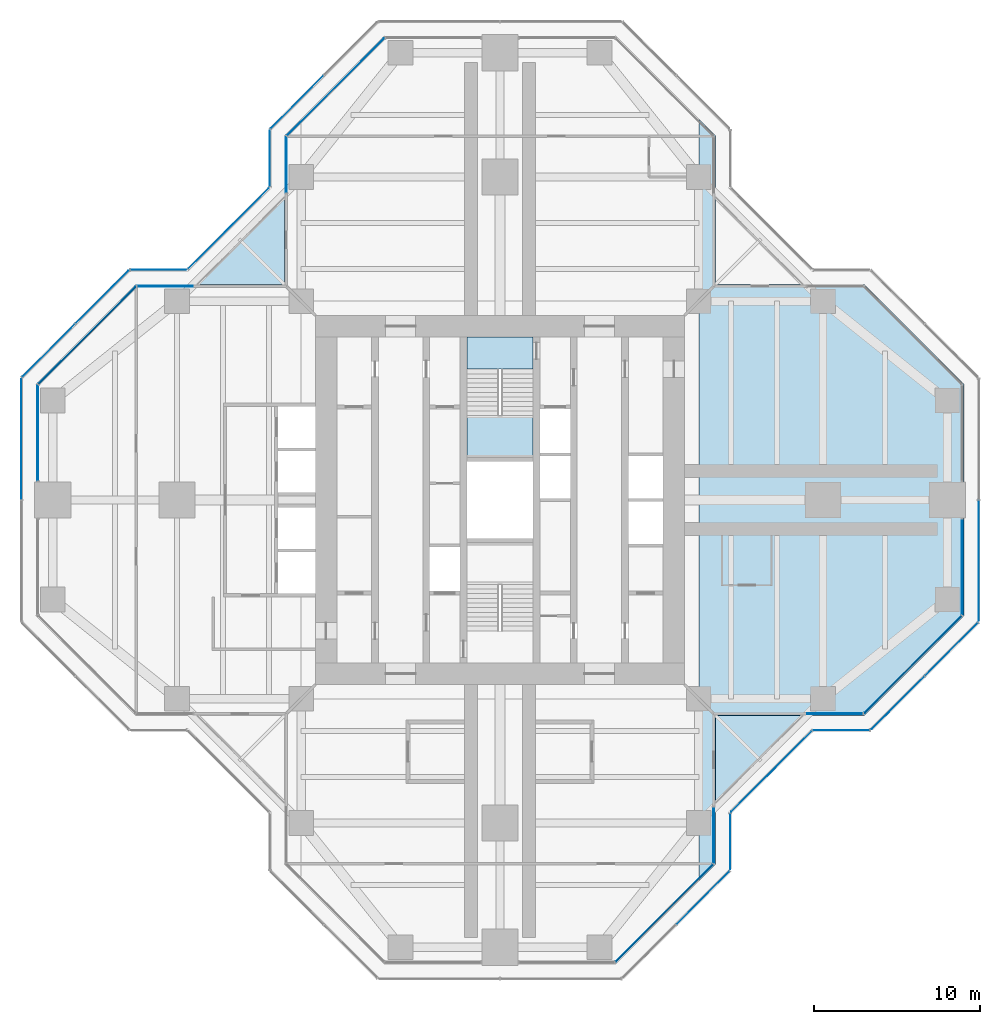
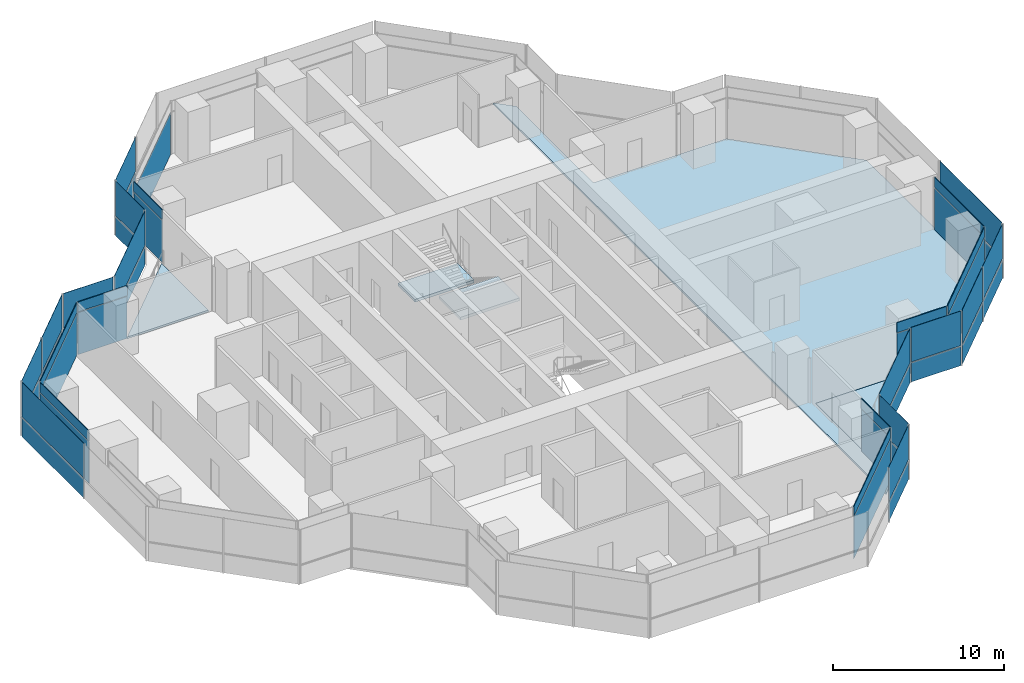
# One storey, part 11 of 17: 47 plates, 5 slabs, 23 elements without a shape of their own.
"""IFC4 building model written with IfcOpenShell, lengths in metres."""

from ifc_helpers import new_model, si_unit, direction, frame, origin, origin_2d, place, context, subcontext, project, spatial, polyline, rectangle, outline, extrude, material, layer, layer_set, type_object, element, aggregate, save


model = new_model("IFC4")

# Units and contexts
model_context = context("Model", 3, precision=1e-05, world=origin(), true_north=direction((0.0, 1.0)))
body_context = subcontext(model_context, "Body", "Model", "MODEL_VIEW")
ifc_project = project(units=[si_unit("LENGTHUNIT", "METRE"), si_unit("AREAUNIT", "SQUARE_METRE"), si_unit("VOLUMEUNIT", "CUBIC_METRE"), si_unit("PLANEANGLEUNIT", "RADIAN"), si_unit("MASSUNIT", "GRAM", prefix="KILO")], contexts=[model_context])

# Site, building, storey
site_placement = place(None, origin())
site = spatial("IfcSite", under=ifc_project, at=site_placement, CompositionType="ELEMENT")
building_placement = place(site_placement, origin())
building = spatial("IfcBuilding", under=site, at=building_placement, Name="Mizan Broadcast Tower", CompositionType="ELEMENT")
storey_placement = place(building_placement, frame((0.0, 0.0, 224.39990234375)))
storey = spatial("IfcBuildingStorey", under=building, at=storey_placement, Name="L52", CompositionType="ELEMENT", Elevation=224.39990234375)

# Slab
ifc_material_1 = material(Name="Concrete C32/40", Category="concrete")
ifc_layer_1 = layer(ifc_material_1, 0.1298828125)
ifc_layer_set_1 = layer_set([ifc_layer_1], Name="Concrete C32/40")
slab_type_1 = type_object("IfcSlabType", Name="COMPOSITE DECK SLAB 130", PredefinedType="FLOOR", material=ifc_layer_set_1)
slab_1_placement = place(storey_placement, frame((0.0, 0.0, -0.1298828125)))
element("IfcSlab", 1, at=slab_1_placement, inside=storey, type_object=slab_type_1, Name="Floor slab L52 east arm", PredefinedType="FLOOR", context=body_context, shape_type="SweptSolid", body=[
    extrude(outline(polyline([(13.0, 22.0), (12.0, 23.0), (12.0, -23.0), (13.0, -22.0), (13.0, -13.0), (22.0, -13.0), (28.0, -7.0), (28.0, 7.0), (22.0, 13.0), (13.0, 13.0), (13.0, 22.0)])), origin(), (0.0, 0.0, 1.0), 0.1298828125),
])

# Curtain wall, plate
ifc_material_2 = material(Name="Aluminium framed glazing", Category="aluminium")
curtain_wall_type_1 = type_object("IfcCurtainWallType", Name="INNER SKIN HIGH ZONE", PredefinedType="USERDEFINED", material=ifc_material_2)
curtain_wall_1_placement = place(storey_placement, origin())
curtain_wall_1 = element("IfcCurtainWall", 2, at=curtain_wall_1_placement, inside=storey, type_object=curtain_wall_type_1, Name="Inner skin high zone L52 E side", ObjectType="INNER SKIN HIGH ZONE", PredefinedType="USERDEFINED")
ifc_material_3 = material(Name="Double glazing, clear low-e", Category="glass")
ifc_layer_2 = layer(ifc_material_3, 0.028076171875)
ifc_layer_set_2 = layer_set([ifc_layer_2], Name="Double glazing, clear low-e")
plate_type_1 = type_object("IfcPlateType", Name="INNER SKIN GLAZING UNIT", PredefinedType="CURTAIN_PANEL", material=ifc_layer_set_2)
plate_1_placement = place(storey_placement, frame((20.229248046875, -12.89990234375, 0.0), z_axis=(0.0, 0.0, 1.0), x_axis=(1.0, 0.0, 0.0)))
plate_1 = element("IfcPlate", 3, at=plate_1_placement, type_object=plate_type_1, Name="Inner skin high zone L52 E side panel 1.1", PredefinedType="CURTAIN_PANEL", context=body_context, shape_type="SweptSolid", body=[
    extrude(rectangle(XDim=3.338623046875, YDim=0.028076171875, at=origin_2d()), origin(), (0.0, 0.0, 1.0), 3.0),
])

curtain_wall_2_placement = place(storey_placement, origin())
curtain_wall_2 = element("IfcCurtainWall", 4, at=curtain_wall_2_placement, inside=storey, type_object=curtain_wall_type_1, Name="Inner skin high zone L52 E chamfer", ObjectType="INNER SKIN HIGH ZONE", PredefinedType="USERDEFINED")
plate_2_placement = place(storey_placement, frame((24.92919921875, -9.92919921875, 0.0), z_axis=(0.0, 0.0, 1.0), x_axis=(0.707106781187, 0.707106781187, 0.0)))
plate_2 = element("IfcPlate", 5, at=plate_2_placement, type_object=plate_type_1, Name="Inner skin high zone L52 E chamfer panel 1.1", PredefinedType="CURTAIN_PANEL", context=body_context, shape_type="SweptSolid", body=[
    extrude(rectangle(XDim=8.282470703125, YDim=0.028076171875, at=origin_2d()), origin(), (0.0, 0.0, 1.0), 3.0),
])

curtain_wall_3_placement = place(storey_placement, origin())
curtain_wall_3 = element("IfcCurtainWall", 6, at=curtain_wall_3_placement, inside=storey, type_object=curtain_wall_type_1, Name="Inner skin high zone L52 E end", ObjectType="INNER SKIN HIGH ZONE", PredefinedType="USERDEFINED")
plate_3_placement = place(storey_placement, frame((27.89990234375, -4.029296875, 0.0), z_axis=(0.0, 0.0, 1.0), x_axis=(0.0, 1.0, 0.0)))
plate_3 = element("IfcPlate", 7, at=plate_3_placement, type_object=plate_type_1, Name="Inner skin high zone L52 E end panel 1.1", PredefinedType="CURTAIN_PANEL", context=body_context, shape_type="SweptSolid", body=[
    extrude(rectangle(XDim=5.738525390625, YDim=0.028076171875, at=origin_2d()), origin(), (0.0, 0.0, 1.0), 3.0),
])

curtain_wall_4_placement = place(storey_placement, origin())
curtain_wall_4 = element("IfcCurtainWall", 8, at=curtain_wall_4_placement, inside=storey, type_object=curtain_wall_type_1, Name="Inner skin high zone L52 N chamfer", ObjectType="INNER SKIN HIGH ZONE", PredefinedType="USERDEFINED")
plate_4_placement = place(storey_placement, frame((-9.92919921875, 24.92919921875, 0.0), z_axis=(0.0, 0.0, 1.0), x_axis=(-0.707106781187, -0.707106781187, 0.0)))
plate_4 = element("IfcPlate", 9, at=plate_4_placement, type_object=plate_type_1, Name="Inner skin high zone L52 N chamfer panel 1.1", PredefinedType="CURTAIN_PANEL", context=body_context, shape_type="SweptSolid", body=[
    extrude(rectangle(XDim=8.282470703125, YDim=0.028076171875, at=origin_2d()), origin(), (0.0, 0.0, 1.0), 3.0),
])
aggregate(curtain_wall_4, [plate_4])

curtain_wall_5_placement = place(storey_placement, origin())
curtain_wall_5 = element("IfcCurtainWall", 10, at=curtain_wall_5_placement, inside=storey, type_object=curtain_wall_type_1, Name="Inner skin high zone L52 N side", ObjectType="INNER SKIN HIGH ZONE", PredefinedType="USERDEFINED")
plate_5_placement = place(storey_placement, frame((-12.89990234375, 20.229248046875, 0.0), z_axis=(0.0, 0.0, 1.0), x_axis=(0.0, -1.0, 0.0)))
plate_5 = element("IfcPlate", 11, at=plate_5_placement, type_object=plate_type_1, Name="Inner skin high zone L52 N side panel 1.1", PredefinedType="CURTAIN_PANEL", context=body_context, shape_type="SweptSolid", body=[
    extrude(rectangle(XDim=3.338623046875, YDim=0.028076171875, at=origin_2d()), origin(), (0.0, 0.0, 1.0), 3.0),
])

curtain_wall_6_placement = place(storey_placement, origin())
curtain_wall_6 = element("IfcCurtainWall", 12, at=curtain_wall_6_placement, inside=storey, type_object=curtain_wall_type_1, Name="Inner skin high zone L52 W side", ObjectType="INNER SKIN HIGH ZONE", PredefinedType="USERDEFINED")
plate_6_placement = place(storey_placement, frame((-20.229248046875, 12.89990234375, 0.0), z_axis=(0.0, 0.0, 1.0), x_axis=(-1.0, 0.0, 0.0)))
plate_6 = element("IfcPlate", 13, at=plate_6_placement, type_object=plate_type_1, Name="Inner skin high zone L52 W side panel 1.1", PredefinedType="CURTAIN_PANEL", context=body_context, shape_type="SweptSolid", body=[
    extrude(rectangle(XDim=3.338623046875, YDim=0.028076171875, at=origin_2d()), origin(), (0.0, 0.0, 1.0), 3.0),
])

curtain_wall_7_placement = place(storey_placement, origin())
curtain_wall_7 = element("IfcCurtainWall", 14, at=curtain_wall_7_placement, inside=storey, type_object=curtain_wall_type_1, Name="Inner skin high zone L52 W chamfer", ObjectType="INNER SKIN HIGH ZONE", PredefinedType="USERDEFINED")
plate_7_placement = place(storey_placement, frame((-24.92919921875, 9.92919921875, 0.0), z_axis=(0.0, 0.0, 1.0), x_axis=(-0.707106781187, -0.707106781187, 0.0)))
plate_7 = element("IfcPlate", 15, at=plate_7_placement, type_object=plate_type_1, Name="Inner skin high zone L52 W chamfer panel 1.1", PredefinedType="CURTAIN_PANEL", context=body_context, shape_type="SweptSolid", body=[
    extrude(rectangle(XDim=8.282470703125, YDim=0.028076171875, at=origin_2d()), origin(), (0.0, 0.0, 1.0), 3.0),
])

curtain_wall_8_placement = place(storey_placement, origin())
curtain_wall_8 = element("IfcCurtainWall", 16, at=curtain_wall_8_placement, inside=storey, type_object=curtain_wall_type_1, Name="Inner skin high zone L52 W end", ObjectType="INNER SKIN HIGH ZONE", PredefinedType="USERDEFINED")
plate_8_placement = place(storey_placement, frame((-27.89990234375, 4.029296875, 0.0), z_axis=(0.0, 0.0, 1.0), x_axis=(0.0, -1.0, 0.0)))
plate_8 = element("IfcPlate", 17, at=plate_8_placement, type_object=plate_type_1, Name="Inner skin high zone L52 W end panel 1.1", PredefinedType="CURTAIN_PANEL", context=body_context, shape_type="SweptSolid", body=[
    extrude(rectangle(XDim=5.738525390625, YDim=0.028076171875, at=origin_2d()), origin(), (0.0, 0.0, 1.0), 3.0),
])

curtain_wall_9_placement = place(storey_placement, origin())
curtain_wall_9 = element("IfcCurtainWall", 18, at=curtain_wall_9_placement, inside=storey, type_object=curtain_wall_type_1, Name="Inner skin high zone L52 S chamfer", ObjectType="INNER SKIN HIGH ZONE", PredefinedType="USERDEFINED")
plate_9_placement = place(storey_placement, frame((9.92919921875, -24.92919921875, 0.0), z_axis=(0.0, 0.0, 1.0), x_axis=(0.707106781187, 0.707106781187, 0.0)))
plate_9 = element("IfcPlate", 19, at=plate_9_placement, type_object=plate_type_1, Name="Inner skin high zone L52 S chamfer panel 1.1", PredefinedType="CURTAIN_PANEL", context=body_context, shape_type="SweptSolid", body=[
    extrude(rectangle(XDim=8.282470703125, YDim=0.028076171875, at=origin_2d()), origin(), (0.0, 0.0, 1.0), 3.0),
])

curtain_wall_10_placement = place(storey_placement, origin())
curtain_wall_10 = element("IfcCurtainWall", 20, at=curtain_wall_10_placement, inside=storey, type_object=curtain_wall_type_1, Name="Inner skin high zone L52 S side", ObjectType="INNER SKIN HIGH ZONE", PredefinedType="USERDEFINED")
plate_10_placement = place(storey_placement, frame((12.89990234375, -20.229248046875, 0.0), z_axis=(0.0, 0.0, 1.0), x_axis=(0.0, 1.0, 0.0)))
plate_10 = element("IfcPlate", 21, at=plate_10_placement, type_object=plate_type_1, Name="Inner skin high zone L52 S side panel 1.1", PredefinedType="CURTAIN_PANEL", context=body_context, shape_type="SweptSolid", body=[
    extrude(rectangle(XDim=3.338623046875, YDim=0.028076171875, at=origin_2d()), origin(), (0.0, 0.0, 1.0), 3.0),
])

# Plate
ifc_material_4 = material(Name="Insulated aluminium spandrel panel, pale anodised", Category="aluminium")
ifc_layer_3 = layer(ifc_material_4, 0.050048828125)
ifc_layer_set_3 = layer_set([ifc_layer_3], Name="Insulated aluminium spandrel panel, pale anodised")
plate_type_2 = type_object("IfcPlateType", Name="INNER SKIN SPANDREL PANEL", PredefinedType="CURTAIN_PANEL", material=ifc_layer_set_3)
plate_11_placement = place(storey_placement, frame((20.229248046875, -12.89990234375, 3.06005859375), z_axis=(0.0, 0.0, 1.0), x_axis=(1.0, 0.0, 0.0)))
plate_11 = element("IfcPlate", 22, at=plate_11_placement, type_object=plate_type_2, Name="Inner skin high zone L52 E side panel 1.2", PredefinedType="CURTAIN_PANEL", context=body_context, shape_type="SweptSolid", body=[
    extrude(rectangle(XDim=3.338623046875, YDim=0.050048828125, at=origin_2d()), origin(), (0.0, 0.0, 1.0), 0.7099609375),
])

aggregate(curtain_wall_1, [plate_1, plate_11])

plate_12_placement = place(storey_placement, frame((24.92919921875, -9.92919921875, 3.06005859375), z_axis=(0.0, 0.0, 1.0), x_axis=(0.707106781187, 0.707106781187, 0.0)))
plate_12 = element("IfcPlate", 23, at=plate_12_placement, type_object=plate_type_2, Name="Inner skin high zone L52 E chamfer panel 1.2", PredefinedType="CURTAIN_PANEL", context=body_context, shape_type="SweptSolid", body=[
    extrude(rectangle(XDim=8.282470703125, YDim=0.050048828125, at=origin_2d()), origin(), (0.0, 0.0, 1.0), 0.7099609375),
])

aggregate(curtain_wall_2, [plate_2, plate_12])

plate_13_placement = place(storey_placement, frame((27.89990234375, -4.029296875, 3.06005859375), z_axis=(0.0, 0.0, 1.0), x_axis=(0.0, 1.0, 0.0)))
plate_13 = element("IfcPlate", 24, at=plate_13_placement, type_object=plate_type_2, Name="Inner skin high zone L52 E end panel 1.2", PredefinedType="CURTAIN_PANEL", context=body_context, shape_type="SweptSolid", body=[
    extrude(rectangle(XDim=5.738525390625, YDim=0.050048828125, at=origin_2d()), origin(), (0.0, 0.0, 1.0), 0.7099609375),
])

aggregate(curtain_wall_3, [plate_3, plate_13])

plate_14_placement = place(storey_placement, frame((-12.89990234375, 20.229248046875, 3.06005859375), z_axis=(0.0, 0.0, 1.0), x_axis=(0.0, -1.0, 0.0)))
plate_14 = element("IfcPlate", 25, at=plate_14_placement, type_object=plate_type_2, Name="Inner skin high zone L52 N side panel 1.2", PredefinedType="CURTAIN_PANEL", context=body_context, shape_type="SweptSolid", body=[
    extrude(rectangle(XDim=3.338623046875, YDim=0.050048828125, at=origin_2d()), origin(), (0.0, 0.0, 1.0), 0.7099609375),
])

aggregate(curtain_wall_5, [plate_5, plate_14])

plate_15_placement = place(storey_placement, frame((-20.229248046875, 12.89990234375, 3.06005859375), z_axis=(0.0, 0.0, 1.0), x_axis=(-1.0, 0.0, 0.0)))
plate_15 = element("IfcPlate", 26, at=plate_15_placement, type_object=plate_type_2, Name="Inner skin high zone L52 W side panel 1.2", PredefinedType="CURTAIN_PANEL", context=body_context, shape_type="SweptSolid", body=[
    extrude(rectangle(XDim=3.338623046875, YDim=0.050048828125, at=origin_2d()), origin(), (0.0, 0.0, 1.0), 0.7099609375),
])

aggregate(curtain_wall_6, [plate_6, plate_15])

plate_16_placement = place(storey_placement, frame((-24.92919921875, 9.92919921875, 3.06005859375), z_axis=(0.0, 0.0, 1.0), x_axis=(-0.707106781187, -0.707106781187, 0.0)))
plate_16 = element("IfcPlate", 27, at=plate_16_placement, type_object=plate_type_2, Name="Inner skin high zone L52 W chamfer panel 1.2", PredefinedType="CURTAIN_PANEL", context=body_context, shape_type="SweptSolid", body=[
    extrude(rectangle(XDim=8.282470703125, YDim=0.050048828125, at=origin_2d()), origin(), (0.0, 0.0, 1.0), 0.7099609375),
])

aggregate(curtain_wall_7, [plate_7, plate_16])

plate_17_placement = place(storey_placement, frame((-27.89990234375, 4.029296875, 3.06005859375), z_axis=(0.0, 0.0, 1.0), x_axis=(0.0, -1.0, 0.0)))
plate_17 = element("IfcPlate", 28, at=plate_17_placement, type_object=plate_type_2, Name="Inner skin high zone L52 W end panel 1.2", PredefinedType="CURTAIN_PANEL", context=body_context, shape_type="SweptSolid", body=[
    extrude(rectangle(XDim=5.738525390625, YDim=0.050048828125, at=origin_2d()), origin(), (0.0, 0.0, 1.0), 0.7099609375),
])

aggregate(curtain_wall_8, [plate_8, plate_17])

plate_18_placement = place(storey_placement, frame((9.92919921875, -24.92919921875, 3.06005859375), z_axis=(0.0, 0.0, 1.0), x_axis=(0.707106781187, 0.707106781187, 0.0)))
plate_18 = element("IfcPlate", 29, at=plate_18_placement, type_object=plate_type_2, Name="Inner skin high zone L52 S chamfer panel 1.2", PredefinedType="CURTAIN_PANEL", context=body_context, shape_type="SweptSolid", body=[
    extrude(rectangle(XDim=8.282470703125, YDim=0.050048828125, at=origin_2d()), origin(), (0.0, 0.0, 1.0), 0.7099609375),
])

aggregate(curtain_wall_9, [plate_9, plate_18])

plate_19_placement = place(storey_placement, frame((12.89990234375, -20.229248046875, 3.06005859375), z_axis=(0.0, 0.0, 1.0), x_axis=(0.0, 1.0, 0.0)))
plate_19 = element("IfcPlate", 30, at=plate_19_placement, type_object=plate_type_2, Name="Inner skin high zone L52 S side panel 1.2", PredefinedType="CURTAIN_PANEL", context=body_context, shape_type="SweptSolid", body=[
    extrude(rectangle(XDim=3.338623046875, YDim=0.050048828125, at=origin_2d()), origin(), (0.0, 0.0, 1.0), 0.7099609375),
])

aggregate(curtain_wall_10, [plate_10, plate_19])

# Curtain wall, plates
ifc_material_5 = material(Name="Aluminium framed glazing", Category="aluminium")
curtain_wall_type_2 = type_object("IfcCurtainWallType", Name="OUTER SKIN", PredefinedType="USERDEFINED", material=ifc_material_5)
curtain_wall_11_placement = place(storey_placement, origin())
curtain_wall_11 = element("IfcCurtainWall", 31, at=curtain_wall_11_placement, inside=storey, type_object=curtain_wall_type_2, Name="Outer skin L52 E chamfer", ObjectType="OUTER SKIN", PredefinedType="USERDEFINED")
ifc_material_6 = material(Name="Laminated clear glass", Category="glass")
ifc_layer_4 = layer(ifc_material_6, 0.02001953125)
ifc_layer_set_4 = layer_set([ifc_layer_4], Name="Laminated clear glass")
plate_type_3 = type_object("IfcPlateType", Name="OUTER SKIN CLEAR GLASS", PredefinedType="CURTAIN_PANEL", material=ifc_layer_set_4)
plate_20_placement = place(storey_placement, frame((24.018798828125, -12.254150390625, 0.0), z_axis=(0.0, 0.0, 1.0), x_axis=(0.707106781187, 0.707106781187, 0.0)))
plate_20 = element("IfcPlate", 32, at=plate_20_placement, type_object=plate_type_3, Name="Outer skin L52 E chamfer panel 1.1", PredefinedType="CURTAIN_PANEL", context=body_context, shape_type="SweptSolid", body=[
    extrude(rectangle(XDim=4.495361328125, YDim=0.02001953125, at=origin_2d()), origin(), (0.0, 0.0, 1.0), 1.3701171875),
])
plate_21_placement = place(storey_placement, frame((24.018798828125, -12.254150390625, 1.43017578125), z_axis=(0.0, 0.0, 1.0), x_axis=(0.707106781187, 0.707106781187, 0.0)))
plate_21 = element("IfcPlate", 33, at=plate_21_placement, type_object=plate_type_3, Name="Outer skin L52 E chamfer panel 1.2", PredefinedType="CURTAIN_PANEL", context=body_context, shape_type="SweptSolid", body=[
    extrude(rectangle(XDim=4.495361328125, YDim=0.02001953125, at=origin_2d()), origin(), (0.0, 0.0, 1.0), 2.469970703125),
])

curtain_wall_12_placement = place(storey_placement, origin())
curtain_wall_12 = element("IfcCurtainWall", 34, at=curtain_wall_12_placement, inside=storey, type_object=curtain_wall_type_2, Name="Outer skin L52 E end", ObjectType="OUTER SKIN", PredefinedType="USERDEFINED")
plate_22_placement = place(storey_placement, frame((28.89990234375, -3.66650390625, 0.0), z_axis=(0.0, 0.0, 1.0), x_axis=(0.0, 1.0, 0.0)))
plate_22 = element("IfcPlate", 35, at=plate_22_placement, type_object=plate_type_3, Name="Outer skin L52 E end panel 1.1", PredefinedType="CURTAIN_PANEL", context=body_context, shape_type="SweptSolid", body=[
    extrude(rectangle(XDim=7.252685546875, YDim=0.02001953125, at=origin_2d()), origin(), (0.0, 0.0, 1.0), 1.3701171875),
])
plate_23_placement = place(storey_placement, frame((28.89990234375, -3.66650390625, 1.43017578125), z_axis=(0.0, 0.0, 1.0), x_axis=(0.0, 1.0, 0.0)))
plate_23 = element("IfcPlate", 36, at=plate_23_placement, type_object=plate_type_3, Name="Outer skin L52 E end panel 1.2", PredefinedType="CURTAIN_PANEL", context=body_context, shape_type="SweptSolid", body=[
    extrude(rectangle(XDim=7.252685546875, YDim=0.02001953125, at=origin_2d()), origin(), (0.0, 0.0, 1.0), 2.469970703125),
])
aggregate(curtain_wall_12, [plate_22, plate_23])

curtain_wall_13_placement = place(storey_placement, origin())
curtain_wall_13 = element("IfcCurtainWall", 37, at=curtain_wall_13_placement, inside=storey, type_object=curtain_wall_type_2, Name="Outer skin L52 N side", ObjectType="OUTER SKIN", PredefinedType="USERDEFINED")
plate_24_placement = place(storey_placement, frame((-13.89990234375, 20.622802734375, 0.0), z_axis=(0.0, 0.0, 1.0), x_axis=(0.0, -1.0, 0.0)))
plate_24 = element("IfcPlate", 38, at=plate_24_placement, type_object=plate_type_3, Name="Outer skin L52 N side panel 1.1", PredefinedType="CURTAIN_PANEL", context=body_context, shape_type="SweptSolid", body=[
    extrude(rectangle(XDim=3.340087890625, YDim=0.02001953125, at=origin_2d()), origin(), (0.0, 0.0, 1.0), 1.3701171875),
])
plate_25_placement = place(storey_placement, frame((-13.89990234375, 20.622802734375, 1.43017578125), z_axis=(0.0, 0.0, 1.0), x_axis=(0.0, -1.0, 0.0)))
plate_25 = element("IfcPlate", 39, at=plate_25_placement, type_object=plate_type_3, Name="Outer skin L52 N side panel 1.2", PredefinedType="CURTAIN_PANEL", context=body_context, shape_type="SweptSolid", body=[
    extrude(rectangle(XDim=3.340087890625, YDim=0.02001953125, at=origin_2d()), origin(), (0.0, 0.0, 1.0), 2.469970703125),
])
aggregate(curtain_wall_13, [plate_24, plate_25])

curtain_wall_14_placement = place(storey_placement, origin())
curtain_wall_14 = element("IfcCurtainWall", 40, at=curtain_wall_14_placement, inside=storey, type_object=curtain_wall_type_2, Name="Outer skin L52 W chamfer", ObjectType="OUTER SKIN", PredefinedType="USERDEFINED")
plate_26_placement = place(storey_placement, frame((-16.386474609375, 16.386474609375, 0.0), z_axis=(0.0, 0.0, 1.0), x_axis=(-0.707106781187, -0.707106781187, 0.0)))
plate_26 = element("IfcPlate", 41, at=plate_26_placement, type_object=plate_type_3, Name="Outer skin L52 W chamfer panel 1.1", PredefinedType="CURTAIN_PANEL", context=body_context, shape_type="SweptSolid", body=[
    extrude(rectangle(XDim=6.87255859375, YDim=0.02001953125, at=origin_2d()), origin(), (0.0, 0.0, 1.0), 1.3701171875),
])
plate_27_placement = place(storey_placement, frame((-16.386474609375, 16.386474609375, 1.43017578125), z_axis=(0.0, 0.0, 1.0), x_axis=(-0.707106781187, -0.707106781187, 0.0)))
plate_27 = element("IfcPlate", 42, at=plate_27_placement, type_object=plate_type_3, Name="Outer skin L52 W chamfer panel 1.2", PredefinedType="CURTAIN_PANEL", context=body_context, shape_type="SweptSolid", body=[
    extrude(rectangle(XDim=6.87255859375, YDim=0.02001953125, at=origin_2d()), origin(), (0.0, 0.0, 1.0), 2.469970703125),
])
aggregate(curtain_wall_14, [plate_26, plate_27])

curtain_wall_15_placement = place(storey_placement, origin())
curtain_wall_15 = element("IfcCurtainWall", 43, at=curtain_wall_15_placement, inside=storey, type_object=curtain_wall_type_2, Name="Outer skin L52 W side", ObjectType="OUTER SKIN", PredefinedType="USERDEFINED")
plate_28_placement = place(storey_placement, frame((-20.622802734375, 13.89990234375, 0.0), z_axis=(0.0, 0.0, 1.0), x_axis=(-1.0, 0.0, 0.0)))
plate_28 = element("IfcPlate", 44, at=plate_28_placement, type_object=plate_type_3, Name="Outer skin L52 W side panel 1.1", PredefinedType="CURTAIN_PANEL", context=body_context, shape_type="SweptSolid", body=[
    extrude(rectangle(XDim=3.340087890625, YDim=0.02001953125, at=origin_2d()), origin(), (0.0, 0.0, 1.0), 1.3701171875),
])
plate_29_placement = place(storey_placement, frame((-20.622802734375, 13.89990234375, 1.43017578125), z_axis=(0.0, 0.0, 1.0), x_axis=(-1.0, 0.0, 0.0)))
plate_29 = element("IfcPlate", 45, at=plate_29_placement, type_object=plate_type_3, Name="Outer skin L52 W side panel 1.2", PredefinedType="CURTAIN_PANEL", context=body_context, shape_type="SweptSolid", body=[
    extrude(rectangle(XDim=3.340087890625, YDim=0.02001953125, at=origin_2d()), origin(), (0.0, 0.0, 1.0), 2.469970703125),
])
aggregate(curtain_wall_15, [plate_28, plate_29])

curtain_wall_16_placement = place(storey_placement, origin())
curtain_wall_16 = element("IfcCurtainWall", 46, at=curtain_wall_16_placement, inside=storey, type_object=curtain_wall_type_2, Name="Outer skin L52 W chamfer", ObjectType="OUTER SKIN", PredefinedType="USERDEFINED")
plate_30_placement = place(storey_placement, frame((-24.018798828125, 12.254150390625, 0.0), z_axis=(0.0, 0.0, 1.0), x_axis=(-0.707106781187, -0.707106781187, 0.0)))
plate_30 = element("IfcPlate", 47, at=plate_30_placement, type_object=plate_type_3, Name="Outer skin L52 W chamfer panel 1.1", PredefinedType="CURTAIN_PANEL", context=body_context, shape_type="SweptSolid", body=[
    extrude(rectangle(XDim=4.495361328125, YDim=0.02001953125, at=origin_2d()), origin(), (0.0, 0.0, 1.0), 1.3701171875),
])
plate_31_placement = place(storey_placement, frame((-24.018798828125, 12.254150390625, 1.43017578125), z_axis=(0.0, 0.0, 1.0), x_axis=(-0.707106781187, -0.707106781187, 0.0)))
plate_31 = element("IfcPlate", 48, at=plate_31_placement, type_object=plate_type_3, Name="Outer skin L52 W chamfer panel 1.2", PredefinedType="CURTAIN_PANEL", context=body_context, shape_type="SweptSolid", body=[
    extrude(rectangle(XDim=4.495361328125, YDim=0.02001953125, at=origin_2d()), origin(), (0.0, 0.0, 1.0), 2.469970703125),
])

curtain_wall_17_placement = place(storey_placement, origin())
curtain_wall_17 = element("IfcCurtainWall", 49, at=curtain_wall_17_placement, inside=storey, type_object=curtain_wall_type_2, Name="Outer skin L52 W end", ObjectType="OUTER SKIN", PredefinedType="USERDEFINED")
plate_32_placement = place(storey_placement, frame((-28.89990234375, 3.66650390625, 0.0), z_axis=(0.0, 0.0, 1.0), x_axis=(0.0, -1.0, 0.0)))
plate_32 = element("IfcPlate", 50, at=plate_32_placement, type_object=plate_type_3, Name="Outer skin L52 W end panel 1.1", PredefinedType="CURTAIN_PANEL", context=body_context, shape_type="SweptSolid", body=[
    extrude(rectangle(XDim=7.252685546875, YDim=0.02001953125, at=origin_2d()), origin(), (0.0, 0.0, 1.0), 1.3701171875),
])
plate_33_placement = place(storey_placement, frame((-28.89990234375, 3.66650390625, 1.43017578125), z_axis=(0.0, 0.0, 1.0), x_axis=(0.0, -1.0, 0.0)))
plate_33 = element("IfcPlate", 51, at=plate_33_placement, type_object=plate_type_3, Name="Outer skin L52 W end panel 1.2", PredefinedType="CURTAIN_PANEL", context=body_context, shape_type="SweptSolid", body=[
    extrude(rectangle(XDim=7.252685546875, YDim=0.02001953125, at=origin_2d()), origin(), (0.0, 0.0, 1.0), 2.469970703125),
])
aggregate(curtain_wall_17, [plate_32, plate_33])

curtain_wall_18_placement = place(storey_placement, origin())
curtain_wall_18 = element("IfcCurtainWall", 52, at=curtain_wall_18_placement, inside=storey, type_object=curtain_wall_type_2, Name="Outer skin L52 S side", ObjectType="OUTER SKIN", PredefinedType="USERDEFINED")
plate_34_placement = place(storey_placement, frame((13.89990234375, -20.622802734375, 0.0), z_axis=(0.0, 0.0, 1.0), x_axis=(0.0, 1.0, 0.0)))
plate_34 = element("IfcPlate", 53, at=plate_34_placement, type_object=plate_type_3, Name="Outer skin L52 S side panel 1.1", PredefinedType="CURTAIN_PANEL", context=body_context, shape_type="SweptSolid", body=[
    extrude(rectangle(XDim=3.340087890625, YDim=0.02001953125, at=origin_2d()), origin(), (0.0, 0.0, 1.0), 1.3701171875),
])
plate_35_placement = place(storey_placement, frame((13.89990234375, -20.622802734375, 1.43017578125), z_axis=(0.0, 0.0, 1.0), x_axis=(0.0, 1.0, 0.0)))
plate_35 = element("IfcPlate", 54, at=plate_35_placement, type_object=plate_type_3, Name="Outer skin L52 S side panel 1.2", PredefinedType="CURTAIN_PANEL", context=body_context, shape_type="SweptSolid", body=[
    extrude(rectangle(XDim=3.340087890625, YDim=0.02001953125, at=origin_2d()), origin(), (0.0, 0.0, 1.0), 2.469970703125),
])
aggregate(curtain_wall_18, [plate_34, plate_35])

curtain_wall_19_placement = place(storey_placement, origin())
curtain_wall_19 = element("IfcCurtainWall", 55, at=curtain_wall_19_placement, inside=storey, type_object=curtain_wall_type_2, Name="Outer skin L52 E chamfer", ObjectType="OUTER SKIN", PredefinedType="USERDEFINED")
plate_36_placement = place(storey_placement, frame((16.386474609375, -16.386474609375, 0.0), z_axis=(0.0, 0.0, 1.0), x_axis=(0.707106781187, 0.707106781187, 0.0)))
plate_36 = element("IfcPlate", 56, at=plate_36_placement, type_object=plate_type_3, Name="Outer skin L52 E chamfer panel 1.1", PredefinedType="CURTAIN_PANEL", context=body_context, shape_type="SweptSolid", body=[
    extrude(rectangle(XDim=6.87255859375, YDim=0.02001953125, at=origin_2d()), origin(), (0.0, 0.0, 1.0), 1.3701171875),
])
plate_37_placement = place(storey_placement, frame((16.386474609375, -16.386474609375, 1.43017578125), z_axis=(0.0, 0.0, 1.0), x_axis=(0.707106781187, 0.707106781187, 0.0)))
plate_37 = element("IfcPlate", 57, at=plate_37_placement, type_object=plate_type_3, Name="Outer skin L52 E chamfer panel 1.2", PredefinedType="CURTAIN_PANEL", context=body_context, shape_type="SweptSolid", body=[
    extrude(rectangle(XDim=6.87255859375, YDim=0.02001953125, at=origin_2d()), origin(), (0.0, 0.0, 1.0), 2.469970703125),
])
aggregate(curtain_wall_19, [plate_36, plate_37])

curtain_wall_20_placement = place(storey_placement, origin())
curtain_wall_20 = element("IfcCurtainWall", 58, at=curtain_wall_20_placement, inside=storey, type_object=curtain_wall_type_2, Name="Outer skin L52 E side", ObjectType="OUTER SKIN", PredefinedType="USERDEFINED")
plate_38_placement = place(storey_placement, frame((20.622802734375, -13.89990234375, 0.0), z_axis=(0.0, 0.0, 1.0), x_axis=(1.0, 0.0, 0.0)))
plate_38 = element("IfcPlate", 59, at=plate_38_placement, type_object=plate_type_3, Name="Outer skin L52 E side panel 1.1", PredefinedType="CURTAIN_PANEL", context=body_context, shape_type="SweptSolid", body=[
    extrude(rectangle(XDim=3.340087890625, YDim=0.02001953125, at=origin_2d()), origin(), (0.0, 0.0, 1.0), 1.3701171875),
])
plate_39_placement = place(storey_placement, frame((20.622802734375, -13.89990234375, 1.43017578125), z_axis=(0.0, 0.0, 1.0), x_axis=(1.0, 0.0, 0.0)))
plate_39 = element("IfcPlate", 60, at=plate_39_placement, type_object=plate_type_3, Name="Outer skin L52 E side panel 1.2", PredefinedType="CURTAIN_PANEL", context=body_context, shape_type="SweptSolid", body=[
    extrude(rectangle(XDim=3.340087890625, YDim=0.02001953125, at=origin_2d()), origin(), (0.0, 0.0, 1.0), 2.469970703125),
])
aggregate(curtain_wall_20, [plate_38, plate_39])

# Plate
ifc_material_7 = material(Name="Perforated aluminium, pale anodised", Category="aluminium")
ifc_layer_5 = layer(ifc_material_7, 0.011962890625)
ifc_layer_set_5 = layer_set([ifc_layer_5], Name="Perforated aluminium, pale anodised")
plate_type_4 = type_object("IfcPlateType", Name="OUTER SKIN PERFORATED SCREEN", PredefinedType="USERDEFINED", material=ifc_layer_set_5)
plate_40_placement = place(storey_placement, frame((27.254150390625, -9.018798828125, 0.0), z_axis=(0.0, 0.0, 1.0), x_axis=(0.707106781187, 0.707106781187, 0.0)))
plate_40 = element("IfcPlate", 61, at=plate_40_placement, type_object=plate_type_4, Name="Outer skin L52 E chamfer panel 2.1", ObjectType="SCREEN", PredefinedType="USERDEFINED", context=body_context, shape_type="SweptSolid", body=[
    extrude(rectangle(XDim=4.495361328125, YDim=0.011962890625, at=origin_2d()), origin(), (0.0, 0.0, 1.0), 1.3701171875),
])

plate_41_placement = place(storey_placement, frame((27.254150390625, -9.018798828125, 1.43017578125), z_axis=(0.0, 0.0, 1.0), x_axis=(0.707106781187, 0.707106781187, 0.0)))
plate_41 = element("IfcPlate", 62, at=plate_41_placement, type_object=plate_type_4, Name="Outer skin L52 E chamfer panel 2.2", ObjectType="SCREEN", PredefinedType="USERDEFINED", context=body_context, shape_type="SweptSolid", body=[
    extrude(rectangle(XDim=4.495361328125, YDim=0.011962890625, at=origin_2d()), origin(), (0.0, 0.0, 1.0), 2.469970703125),
])

aggregate(curtain_wall_11, [plate_20, plate_21, plate_40, plate_41])

# Curtain wall, plates
curtain_wall_21_placement = place(storey_placement, origin())
curtain_wall_21 = element("IfcCurtainWall", 63, at=curtain_wall_21_placement, inside=storey, type_object=curtain_wall_type_2, Name="Outer skin L52 N chamfer", ObjectType="OUTER SKIN", PredefinedType="USERDEFINED")
plate_42_placement = place(storey_placement, frame((-12.254150390625, 24.018798828125, 0.0), z_axis=(0.0, 0.0, 1.0), x_axis=(-0.707106781187, -0.707106781187, 0.0)))
plate_42 = element("IfcPlate", 64, at=plate_42_placement, type_object=plate_type_4, Name="Outer skin L52 N chamfer panel 2.1", ObjectType="SCREEN", PredefinedType="USERDEFINED", context=body_context, shape_type="SweptSolid", body=[
    extrude(rectangle(XDim=4.495361328125, YDim=0.011962890625, at=origin_2d()), origin(), (0.0, 0.0, 1.0), 1.3701171875),
])
plate_43_placement = place(storey_placement, frame((-12.254150390625, 24.018798828125, 1.43017578125), z_axis=(0.0, 0.0, 1.0), x_axis=(-0.707106781187, -0.707106781187, 0.0)))
plate_43 = element("IfcPlate", 65, at=plate_43_placement, type_object=plate_type_4, Name="Outer skin L52 N chamfer panel 2.2", ObjectType="SCREEN", PredefinedType="USERDEFINED", context=body_context, shape_type="SweptSolid", body=[
    extrude(rectangle(XDim=4.495361328125, YDim=0.011962890625, at=origin_2d()), origin(), (0.0, 0.0, 1.0), 2.469970703125),
])
aggregate(curtain_wall_21, [plate_42, plate_43])

# Plate
plate_44_placement = place(storey_placement, frame((-27.254150390625, 9.018798828125, 0.0), z_axis=(0.0, 0.0, 1.0), x_axis=(-0.707106781187, -0.707106781187, 0.0)))
plate_44 = element("IfcPlate", 66, at=plate_44_placement, type_object=plate_type_4, Name="Outer skin L52 W chamfer panel 2.1", ObjectType="SCREEN", PredefinedType="USERDEFINED", context=body_context, shape_type="SweptSolid", body=[
    extrude(rectangle(XDim=4.495361328125, YDim=0.011962890625, at=origin_2d()), origin(), (0.0, 0.0, 1.0), 1.3701171875),
])

plate_45_placement = place(storey_placement, frame((-27.254150390625, 9.018798828125, 1.43017578125), z_axis=(0.0, 0.0, 1.0), x_axis=(-0.707106781187, -0.707106781187, 0.0)))
plate_45 = element("IfcPlate", 67, at=plate_45_placement, type_object=plate_type_4, Name="Outer skin L52 W chamfer panel 2.2", ObjectType="SCREEN", PredefinedType="USERDEFINED", context=body_context, shape_type="SweptSolid", body=[
    extrude(rectangle(XDim=4.495361328125, YDim=0.011962890625, at=origin_2d()), origin(), (0.0, 0.0, 1.0), 2.469970703125),
])

aggregate(curtain_wall_16, [plate_30, plate_31, plate_44, plate_45])

# Curtain wall, plates
curtain_wall_22_placement = place(storey_placement, origin())
curtain_wall_22 = element("IfcCurtainWall", 68, at=curtain_wall_22_placement, inside=storey, type_object=curtain_wall_type_2, Name="Outer skin L52 S chamfer", ObjectType="OUTER SKIN", PredefinedType="USERDEFINED")
plate_46_placement = place(storey_placement, frame((12.254150390625, -24.018798828125, 0.0), z_axis=(0.0, 0.0, 1.0), x_axis=(0.707106781187, 0.707106781187, 0.0)))
plate_46 = element("IfcPlate", 69, at=plate_46_placement, type_object=plate_type_4, Name="Outer skin L52 S chamfer panel 2.1", ObjectType="SCREEN", PredefinedType="USERDEFINED", context=body_context, shape_type="SweptSolid", body=[
    extrude(rectangle(XDim=4.495361328125, YDim=0.011962890625, at=origin_2d()), origin(), (0.0, 0.0, 1.0), 1.3701171875),
])
plate_47_placement = place(storey_placement, frame((12.254150390625, -24.018798828125, 1.43017578125), z_axis=(0.0, 0.0, 1.0), x_axis=(0.707106781187, 0.707106781187, 0.0)))
plate_47 = element("IfcPlate", 70, at=plate_47_placement, type_object=plate_type_4, Name="Outer skin L52 S chamfer panel 2.2", ObjectType="SCREEN", PredefinedType="USERDEFINED", context=body_context, shape_type="SweptSolid", body=[
    extrude(rectangle(XDim=4.495361328125, YDim=0.011962890625, at=origin_2d()), origin(), (0.0, 0.0, 1.0), 2.469970703125),
])
aggregate(curtain_wall_22, [plate_46, plate_47])

# Stair, slabs
ifc_material_8 = material(Name="Concrete C40/50", Category="concrete")
stair_type = type_object("IfcStairType", Name="EXIT STAIR", PredefinedType="HALF_TURN_STAIR", material=ifc_material_8)
stair_placement = place(storey_placement, origin())
stair = element("IfcStair", 71, at=stair_placement, inside=storey, type_object=stair_type, Name="Stair B L52", PredefinedType="HALF_TURN_STAIR")
ifc_material_9 = material(Name="Concrete C40/50", Category="concrete")
ifc_layer_6 = layer(ifc_material_9, 0.199951171875)
ifc_layer_set_6 = layer_set([ifc_layer_6], Name="Concrete C40/50")
slab_type_2 = type_object("IfcSlabType", Name="STAIR LANDING 200", PredefinedType="LANDING", material=ifc_layer_set_6)
slab_2_placement = place(storey_placement, frame((0.0, 0.0, -0.199951171875)))
slab_2 = element("IfcSlab", 72, at=slab_2_placement, type_object=slab_type_2, Name="B landing 1", PredefinedType="LANDING", context=body_context, shape_type="SweptSolid", body=[
    extrude(outline(polyline([(2.0, 9.85009765625), (2.0, 7.89990234375), (-2.0, 7.89990234375), (-2.0, 9.85009765625), (2.0, 9.85009765625)])), origin(), (0.0, 0.0, 1.0), 0.199951171875),
])
slab_3_placement = place(storey_placement, frame((0.0, 0.0, 1.75)))
slab_3 = element("IfcSlab", 73, at=slab_3_placement, type_object=slab_type_2, Name="B landing 2", PredefinedType="LANDING", context=body_context, shape_type="SweptSolid", body=[
    extrude(outline(polyline([(2.0, 5.10009765625), (2.0, 2.574951171875), (-2.0, 2.574951171875), (-2.0, 5.10009765625), (2.0, 5.10009765625)])), origin(), (0.0, 0.0, 1.0), 0.2001953125),
])
aggregate(stair, [slab_2, slab_3])

# Slabs
ifc_material_10 = material(Name="Concrete C32/40", Category="concrete")
ifc_layer_7 = layer(ifc_material_10, 0.1298828125)
ifc_layer_set_7 = layer_set([ifc_layer_7], Name="Concrete C32/40")
slab_type_3 = type_object("IfcSlabType", Name="WINTER GARDEN SLAB 130", PredefinedType="FLOOR", material=ifc_layer_set_7)
slab_4_placement = place(storey_placement, frame((0.0, 0.0, -0.1298828125)))
element("IfcSlab", 74, at=slab_4_placement, inside=storey, type_object=slab_type_3, Name="Winter garden slab L52 N", PredefinedType="FLOOR", context=body_context, shape_type="SweptSolid", body=[
    extrude(outline(polyline([(-13.0, 13.0), (-13.0, 18.5), (-18.5, 13.0), (-13.0, 13.0)])), origin(), (0.0, 0.0, 1.0), 0.1298828125),
])
slab_5_placement = place(storey_placement, frame((0.0, 0.0, -0.1298828125)))
element("IfcSlab", 75, at=slab_5_placement, inside=storey, type_object=slab_type_3, Name="Winter garden slab L52 S", PredefinedType="FLOOR", context=body_context, shape_type="SweptSolid", body=[
    extrude(outline(polyline([(13.0, -13.0), (13.0, -18.5), (18.5, -13.0), (13.0, -13.0)])), origin(), (0.0, 0.0, 1.0), 0.1298828125),
])

save(model, "model.ifc")
